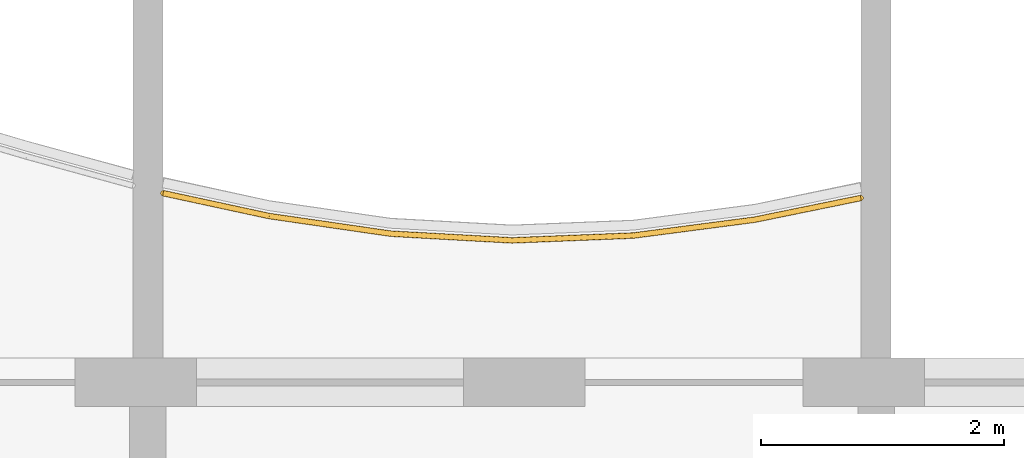
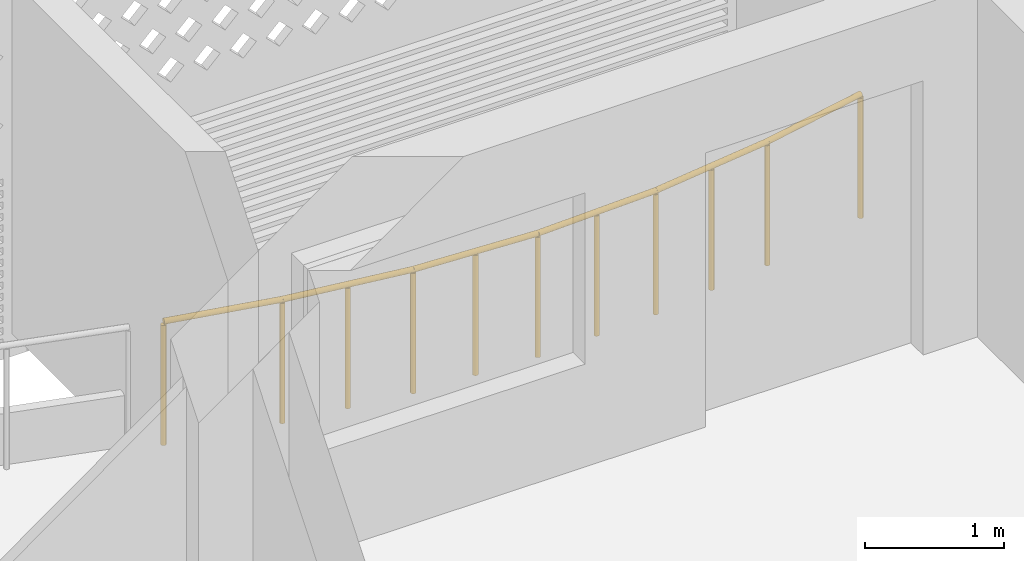
# One storey, part 18 of 31: 1 railing.
"""IFC4 building model written with IfcOpenShell, lengths in metres."""

import ifcopenshell
import ifcopenshell.guid

model = None  # the IFC model being written
_history = None  # IfcOwnerHistory: only IFC2X3 demands one
_inside = {}  # id of a spatial element -> (the spatial element, [elements in it])
_under = {}  # id of a project, library or spatial element -> (it, [spatial elements below it])
_declared = {}  # id of a project -> (the project, [libraries it declares])
_typed = {}  # id of a type object -> (the type object, [elements of that type])
_made_of = {}  # id of a material, layer set ... -> (it, [elements and type objects made of it])


def new_model(schema):
    """Start an empty IFC model of exactly this schema.

    Asked for "IFC4X3", IfcOpenShell would pick the latest addendum, in which some entities
    have other attributes; the version numbers below select the first issue.
    IFC2X3 requires an IfcOwnerHistory on every rooted entity: one is made here for all.
    """
    global model, _history
    if schema == "IFC4X3":
        model = ifcopenshell.file(schema_version=(4, 3, 0, 0))
    else:
        model = ifcopenshell.file(schema=schema)
    _inside.clear()
    _under.clear()
    _declared.clear()
    _typed.clear()
    _made_of.clear()
    _history = None
    if model.schema == "IFC2X3":
        org = make("IfcOrganization", Name="unknown")
        user = make(
            "IfcPersonAndOrganization",
            ThePerson=make("IfcPerson", FamilyName="unknown"),
            TheOrganization=org,
        )
        app = make(
            "IfcApplication",
            ApplicationDeveloper=org,
            Version="unknown",
            ApplicationFullName="unknown",
            ApplicationIdentifier="unknown",
        )
        _history = make(
            "IfcOwnerHistory",
            OwningUser=user,
            OwningApplication=app,
            ChangeAction="ADDED",
            CreationDate=0,
        )
    return model


def make(cls, **values):
    """One entity of the class cls with the attributes given. An attribute that is None is left unset."""
    return model.create_entity(
        cls, **{name: value for name, value in values.items() if value is not None}
    )


def rooted(cls, **values):
    """An entity with a GlobalId (a new one), such as an element, a storey or a relation."""
    return make(cls, GlobalId=ifcopenshell.guid.new(), OwnerHistory=_history, **values)


def si_unit(unit_type, name, prefix=None):
    """IfcSIUnit, for example si_unit("LENGTHUNIT", "METRE", prefix="MILLI")."""
    return make("IfcSIUnit", UnitType=unit_type, Prefix=prefix, Name=name)


def assignment(units):
    """IfcUnitAssignment: the units of a project."""
    return None if units is None else make("IfcUnitAssignment", Units=units)


def point(xyz):
    """IfcCartesianPoint."""
    return None if xyz is None else make("IfcCartesianPoint", Coordinates=xyz)


def direction(xyz):
    """IfcDirection."""
    return None if xyz is None else make("IfcDirection", DirectionRatios=xyz)


def frame(location, z_axis=None, x_axis=None):
    """IfcAxis2Placement3D, a coordinate frame: its origin and axes. An axis left out is left unset."""
    return make(
        "IfcAxis2Placement3D",
        Location=point(location),
        Axis=direction(z_axis),
        RefDirection=direction(x_axis),
    )


def frame_2d(location, x_axis=None):
    """IfcAxis2Placement2D, a coordinate frame in the plane: its origin and x axis."""
    return make(
        "IfcAxis2Placement2D", Location=point(location), RefDirection=direction(x_axis)
    )


def origin():
    """The frame at (0, 0, 0) with its axes left unset."""
    return frame((0.0, 0.0, 0.0))


def origin_2d():
    """The frame at (0, 0) in the plane with its x axis left unset."""
    return frame_2d((0.0, 0.0))


def place(relative_to, where):
    """IfcLocalPlacement: puts the frame where relative to a parent placement (None: the world)."""
    return make(
        "IfcLocalPlacement", PlacementRelTo=relative_to, RelativePlacement=where
    )


def context(
    kind, dimensions, precision=None, world=None, true_north=None, identifier=None
):
    """IfcGeometricRepresentationContext, for example the 3D "Model" context."""
    return make(
        "IfcGeometricRepresentationContext",
        ContextIdentifier=identifier,
        ContextType=kind,
        CoordinateSpaceDimension=dimensions,
        Precision=precision,
        WorldCoordinateSystem=world,
        TrueNorth=true_north,
    )


def subcontext(parent, identifier, kind, view, scale=None):
    """IfcGeometricRepresentationSubContext, for example "Body" below "Model"."""
    return make(
        "IfcGeometricRepresentationSubContext",
        ContextIdentifier=identifier,
        ContextType=kind,
        ParentContext=parent,
        TargetScale=scale,
        TargetView=view,
    )


def project(units=None, contexts=None):
    """IfcProject with its units and contexts."""
    return rooted(
        "IfcProject",
        Name="project",
        RepresentationContexts=contexts,
        UnitsInContext=assignment(units),
    )


def spatial(cls, under=None, at=None, **own):
    """A site, building, storey or space (cls), placed at a placement, below another one or the project."""
    s = rooted(cls, ObjectPlacement=at, **own)
    if under is not None:
        _under.setdefault(under.id(), (under, []))[1].append(s)
    return s


def profile(cls, at=None, kind="AREA", **sizes):
    """A parametric profile (cls). Its sizes go by their IFC names, for example OverallWidth=200.0."""
    return make(cls, ProfileType=kind, Position=at, **sizes)


def circle(**sizes):
    """IfcCircleProfileDef."""
    return profile("IfcCircleProfileDef", **sizes)


def extrude(swept, where, along, depth):
    """IfcExtrudedAreaSolid: the profile swept, set in the frame where, extruded along a direction by depth."""
    return make(
        "IfcExtrudedAreaSolid",
        SweptArea=swept,
        Position=where,
        ExtrudedDirection=direction(along),
        Depth=depth,
    )


def shape(context_of_items, identifier, shape_type, items):
    """IfcShapeRepresentation: the items that make up one representation, for example the "Body"."""
    return make(
        "IfcShapeRepresentation",
        ContextOfItems=context_of_items,
        RepresentationIdentifier=identifier,
        RepresentationType=shape_type,
        Items=items,
    )


def material(Name=None, Category=None):
    """IfcMaterial."""
    return make("IfcMaterial", Name=Name, Category=Category)


def made_of(thing, what):
    """Note that an element or type object is made of a material, layer set ...; save() writes the relation."""
    if what is not None:
        _made_of.setdefault(what.id(), (what, []))[1].append(thing)
    return thing


def type_object(cls, material=None, **own):
    """A type object (cls), such as IfcWallType, which elements share."""
    return made_of(rooted(cls, **own), material)


def element(
    cls,
    number,
    at=None,
    inside=None,
    cuts=None,
    type_object=None,
    material=None,
    context=None,
    identifier="Body",
    shape_type=None,
    held_by="IfcProductDefinitionShape",
    body=None,
    shapes=None,
    **own,
):
    """One element of the class cls, such as IfcWall. Its Tag is "e" and its number.

    at: its placement. inside: the storey or other place that contains it. cuts: it is an
    opening in that element (IfcRelVoidsElement). A single representation is given by context,
    identifier, shape_type and body (its items); several are given by shapes. held_by: the class
    of the entity that holds the representations. save() writes the other relations.
    """
    e = rooted(cls, Tag="e%d" % number, ObjectPlacement=at, **own)
    if body is not None:
        shapes = [shape(context, identifier, shape_type, body)]
    if shapes is not None:
        e.Representation = make(held_by, Representations=shapes)
    if inside is not None:
        _inside.setdefault(inside.id(), (inside, []))[1].append(e)
    if cuts is not None:
        rooted(
            "IfcRelVoidsElement", RelatingBuildingElement=cuts, RelatedOpeningElement=e
        )
    if type_object is not None:
        _typed.setdefault(type_object.id(), (type_object, []))[1].append(e)
    return made_of(e, material)


def aggregate(whole, parts):
    """IfcRelAggregates: a whole, such as a stair, and the parts it consists of."""
    return rooted("IfcRelAggregates", RelatingObject=whole, RelatedObjects=parts)


def save(model, path):
    """Write the relations noted so far, then the file.

    IfcRelAggregates (storeys below a building ...), IfcRelContainedInSpatialStructure (elements
    in a storey), IfcRelDefinesByType, IfcRelAssociatesMaterial and IfcRelDeclares: one each for
    every whole, place, type object, material and project.
    """
    for whole, parts in _under.values():
        aggregate(whole, parts)
    for where, things in _inside.values():
        rooted(
            "IfcRelContainedInSpatialStructure",
            RelatedElements=things,
            RelatingStructure=where,
        )
    for kind, things in _typed.values():
        rooted("IfcRelDefinesByType", RelatedObjects=things, RelatingType=kind)
    for what, things in _made_of.values():
        rooted("IfcRelAssociatesMaterial", RelatedObjects=things, RelatingMaterial=what)
    for by, libraries in _declared.values():
        rooted("IfcRelDeclares", RelatingContext=by, RelatedDefinitions=libraries)
    model.write(path)


model = new_model("IFC4")

# Units and contexts
model_context = context("Model", 3, precision=1e-05, world=origin(), true_north=direction((0.0, 1.0)))
body_context = subcontext(model_context, "Body", "Model", "MODEL_VIEW")
ifc_project = project(units=[si_unit("LENGTHUNIT", "METRE"), si_unit("AREAUNIT", "SQUARE_METRE"), si_unit("VOLUMEUNIT", "CUBIC_METRE"), si_unit("PLANEANGLEUNIT", "RADIAN"), si_unit("MASSUNIT", "GRAM", prefix="KILO")], contexts=[model_context])

# Site, building, storey
site_placement = place(None, origin())
site = spatial("IfcSite", under=ifc_project, at=site_placement, CompositionType="ELEMENT")
building_placement = place(site_placement, origin())
building = spatial("IfcBuilding", under=site, at=building_placement, Name="Poui Terraces", CompositionType="ELEMENT")
storey_placement = place(building_placement, frame((0.0, 0.0, 145.5)))
storey = spatial("IfcBuildingStorey", under=building, at=storey_placement, Name="L40", CompositionType="ELEMENT", Elevation=145.5)

# Railing
ifc_material = material(Name="Painted steel fretwork", Category="steel")
railing_type = type_object("IfcRailingType", Name="BALCONY GUARD 1100", PredefinedType="GUARDRAIL", material=ifc_material)
railing_placement = place(storey_placement, frame((24.125, 43.95947265625, 0.0)))
element("IfcRailing", 1, at=railing_placement, inside=storey, type_object=railing_type, Name="BALCONY GUARD", PredefinedType="GUARDRAIL", context=body_context, shape_type="SweptSolid", body=[
    extrude(circle(Radius=0.02392578125, at=origin_2d()), frame((0.0, 0.0, 1.076171875), z_axis=(0.977522146276, -0.210832762018, 0.0), x_axis=(0.210832762018, 0.977522146276, 0.0)), (0.0, 0.0, 1.0), 0.89501953125),
    extrude(circle(Radius=0.02392578125, at=origin_2d()), frame((0.875, -0.188720703125, 1.076171875), z_axis=(0.989647671833, -0.143518241472, 0.0), x_axis=(0.143518241472, 0.989647671833, 0.0)), (0.0, 0.0, 1.0), 1.010498046875),
    extrude(circle(Radius=0.02392578125, at=origin_2d()), frame((1.875, -0.333740234375, 1.076171875), z_axis=(0.998467844587, -0.055335009942, 0.0), x_axis=(0.055335009942, 0.998467844587, 0.0)), (0.0, 0.0, 1.0), 1.00146484375),
    extrude(circle(Radius=0.02392578125, at=origin_2d()), frame((2.875, -0.38916015625, 1.076171875), z_axis=(0.99920912132, 0.03976344892, 0.0), x_axis=(-0.03976344892, 0.99920912132, 0.0)), (0.0, 0.0, 1.0), 1.000732421875),
    extrude(circle(Radius=0.02392578125, at=origin_2d()), frame((3.875, -0.349365234375, 1.076171875), z_axis=(0.991546329967, 0.129753133023, 0.0), x_axis=(-0.129753133023, 0.991546329967, 0.0)), (0.0, 0.0, 1.0), 1.008544921875),
    extrude(circle(Radius=0.02392578125, at=origin_2d()), frame((4.875, -0.218505859375, 1.076171875), z_axis=(0.979773441626, 0.200109977475, 0.0), x_axis=(-0.200109977475, 0.979773441626, 0.0)), (0.0, 0.0, 1.0), 0.89306640625),
    extrude(circle(Radius=0.02099609375, at=origin_2d()), origin(), (0.0, 0.0, 1.0), 1.052001953125),
    extrude(circle(Radius=0.02099609375, at=origin_2d()), frame((0.875, -0.188720703125, 0.0)), (0.0, 0.0, 1.0), 1.052001953125),
    extrude(circle(Radius=0.02099609375, at=origin_2d()), frame((1.375, -0.26123046875, 0.0)), (0.0, 0.0, 1.0), 1.052001953125),
    extrude(circle(Radius=0.02099609375, at=origin_2d()), frame((1.875, -0.333740234375, 0.0)), (0.0, 0.0, 1.0), 1.052001953125),
    extrude(circle(Radius=0.02099609375, at=origin_2d()), frame((2.375, -0.361328125, 0.0)), (0.0, 0.0, 1.0), 1.052001953125),
    extrude(circle(Radius=0.02099609375, at=origin_2d()), frame((2.875, -0.38916015625, 0.0)), (0.0, 0.0, 1.0), 1.052001953125),
    extrude(circle(Radius=0.02099609375, at=origin_2d()), frame((3.375, -0.369140625, 0.0)), (0.0, 0.0, 1.0), 1.052001953125),
    extrude(circle(Radius=0.02099609375, at=origin_2d()), frame((3.875, -0.349365234375, 0.0)), (0.0, 0.0, 1.0), 1.052001953125),
    extrude(circle(Radius=0.02099609375, at=origin_2d()), frame((4.375, -0.283935546875, 0.0)), (0.0, 0.0, 1.0), 1.052001953125),
    extrude(circle(Radius=0.02099609375, at=origin_2d()), frame((4.875, -0.218505859375, 0.0)), (0.0, 0.0, 1.0), 1.052001953125),
    extrude(circle(Radius=0.02099609375, at=origin_2d()), frame((5.75, -0.039794921875, 0.0)), (0.0, 0.0, 1.0), 1.052001953125),
])

save(model, "model.ifc")
